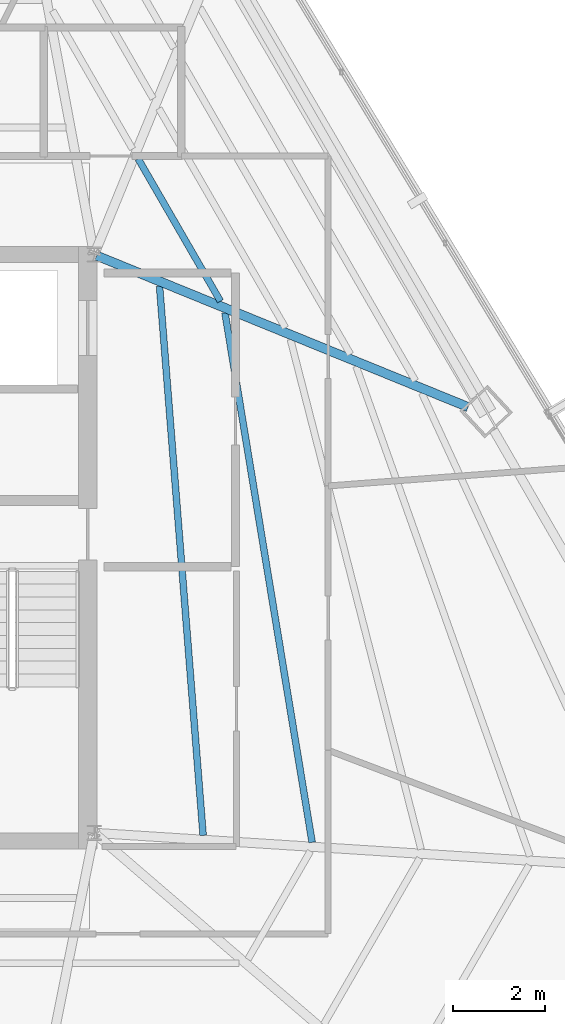
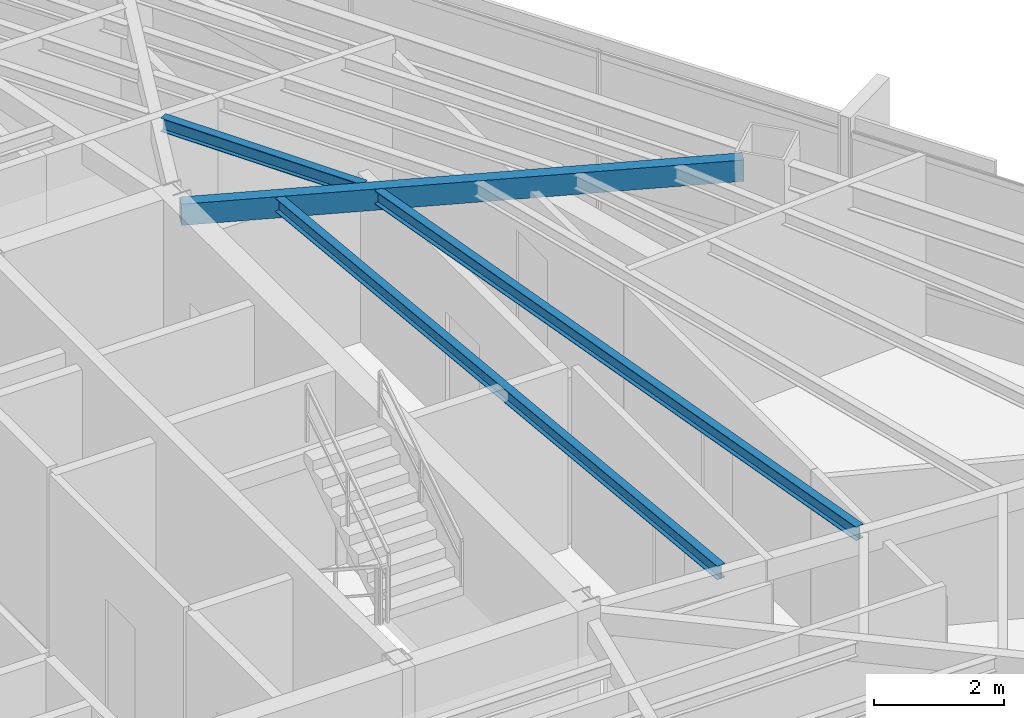
# One storey, part 28 of 47: 4 beams.
"""IFC4 building model written with IfcOpenShell, lengths in metres."""

from ifc_helpers import new_model, si_unit, direction, frame, origin, origin_2d, place, context, subcontext, project, spatial, hollow_rectangle, i_section, extrude, source, transform, mapped, material, material_profile, profile_set, type_object, type_shapes, element, save


model = new_model("IFC4")

# Units and contexts
model_context = context("Model", 3, precision=1e-05, world=origin(), true_north=direction((0.0, 1.0)))
body_context = subcontext(model_context, "Body", "Model", "MODEL_VIEW")
ifc_project = project(units=[si_unit("LENGTHUNIT", "METRE"), si_unit("AREAUNIT", "SQUARE_METRE"), si_unit("VOLUMEUNIT", "CUBIC_METRE"), si_unit("PLANEANGLEUNIT", "RADIAN"), si_unit("MASSUNIT", "GRAM", prefix="KILO")], contexts=[model_context])

# Site, building, storey
site_placement = place(None, origin())
site = spatial("IfcSite", under=ifc_project, at=site_placement, CompositionType="ELEMENT")
building_placement = place(site_placement, origin())
building = spatial("IfcBuilding", under=site, at=building_placement, Name="Caelisora Broadcast Tower", CompositionType="ELEMENT")
storey_placement = place(building_placement, frame((0.0, 0.0, 229.85009765625)))
storey = spatial("IfcBuildingStorey", under=building, at=storey_placement, Name="L60", CompositionType="ELEMENT", Elevation=229.85009765625)

# Beams
ifc_material_1 = material(Name="Steel Grade 350 (AS/NZS 1163 C350L0)", Category="steel")
ifc_material_profile_1 = material_profile(ifc_material_1, hollow_rectangle(XDim=0.199951171875, YDim=0.39990234375, WallThickness=0.012451171875, at=origin_2d()), Name="Steel Grade 350 (AS/NZS 1163 C350L0)")
ifc_profile_set_1 = profile_set([ifc_material_profile_1], Name="Steel Grade 350 (AS/NZS 1163 C350L0)")
beam_type_1 = type_object("IfcBeamType", Name="PG07", PredefinedType="BEAM", material=ifc_profile_set_1)
shared_shape_1 = source(origin(), body_context, "Body", "SweptSolid", [
    extrude(hollow_rectangle(XDim=0.199951171875, YDim=0.39990234375, WallThickness=0.012451171875, at=origin_2d()), origin(), (0.0, 0.0, 1.0), 8.739501953125),
])
type_shapes(beam_type_1, [shared_shape_1])
beam_1_placement = place(storey_placement, frame((45.5556640625, 29.977294921875, 3.199951171875), z_axis=(0.92601171956, -0.377494761868, 0.0), x_axis=(0.377494761868, 0.92601171956, 0.0)))
element("IfcBeam", 1, at=beam_1_placement, inside=storey, type_object=beam_type_1, Name="L60 beam PG07", PredefinedType="BEAM", context=body_context, shape_type="MappedRepresentation", body=[
    mapped(shared_shape_1, transform((0.0, 0.0, 0.0), scale=1.0)),
])
ifc_material_2 = material(Name="Steel Grade 350 (AS/NZS 3679.1)", Category="steel")
ifc_material_profile_2 = material_profile(ifc_material_2, i_section(OverallWidth=0.14599609375, OverallDepth=0.256103515625, WebThickness=0.00634765625, FlangeThickness=0.010986328125, at=origin_2d()), Name="Steel Grade 350 (AS/NZS 3679.1)")
ifc_profile_set_2 = profile_set([ifc_material_profile_2], Name="Steel Grade 350 (AS/NZS 3679.1)")
beam_type_2 = type_object("IfcBeamType", Name="SB04", PredefinedType="JOIST", material=ifc_profile_set_2)
shared_shape_2 = source(origin(), body_context, "Body", "SweptSolid", [
    extrude(i_section(OverallWidth=0.14599609375, OverallDepth=0.256103515625, WebThickness=0.00634765625, FlangeThickness=0.010986328125, at=origin_2d()), origin(), (0.0, 0.0, 1.0), 3.584228515625),
])
beam_2_placement = place(storey_placement, frame((48.252197265625, 28.984130859375, 3.271728515625), z_axis=(-0.500029051137, 0.866008630453, 0.0), x_axis=(-0.866008630453, -0.500029051137, 0.0)))
element("IfcBeam", 2, at=beam_2_placement, inside=storey, type_object=beam_type_2, Name="L60 beam SB04", PredefinedType="JOIST", context=body_context, shape_type="MappedRepresentation", body=[
    mapped(shared_shape_2, transform((0.0, 0.0, 0.0), scale=1.0)),
])
shared_shape_3 = source(origin(), body_context, "Body", "SweptSolid", [
    extrude(i_section(OverallWidth=0.14599609375, OverallDepth=0.256103515625, WebThickness=0.00634765625, FlangeThickness=0.010986328125, at=origin_2d()), origin(), (0.0, 0.0, 1.0), 12.006103515625),
])
beam_3_placement = place(storey_placement, frame((47.875244140625, 17.345703125, 3.271728515625), z_axis=(-0.079162489005, 0.996861725785, 0.0), x_axis=(-0.996861725785, -0.079162489005, 0.0)))
element("IfcBeam", 3, at=beam_3_placement, inside=storey, type_object=beam_type_2, Name="L60 beam SB04", PredefinedType="JOIST", context=body_context, shape_type="MappedRepresentation", body=[
    mapped(shared_shape_3, transform((0.0, 0.0, 0.0), scale=1.0)),
])
shared_shape_4 = source(origin(), body_context, "Body", "SweptSolid", [
    extrude(i_section(OverallWidth=0.14599609375, OverallDepth=0.256103515625, WebThickness=0.00634765625, FlangeThickness=0.010986328125, at=origin_2d()), origin(), (0.0, 0.0, 1.0), 11.69384765625),
])
type_shapes(beam_type_2, [shared_shape_2, shared_shape_3, shared_shape_4])
beam_4_placement = place(storey_placement, frame((50.25, 17.194091796875, 3.271728515625), z_axis=(-0.162407931873, 0.986723701785, 0.0), x_axis=(-0.986723701785, -0.162407931873, 0.0)))
element("IfcBeam", 4, at=beam_4_placement, inside=storey, type_object=beam_type_2, Name="L60 beam SB04", PredefinedType="JOIST", context=body_context, shape_type="MappedRepresentation", body=[
    mapped(shared_shape_4, transform((0.0, 0.0, 0.0), scale=1.0)),
])

save(model, "model.ifc")
